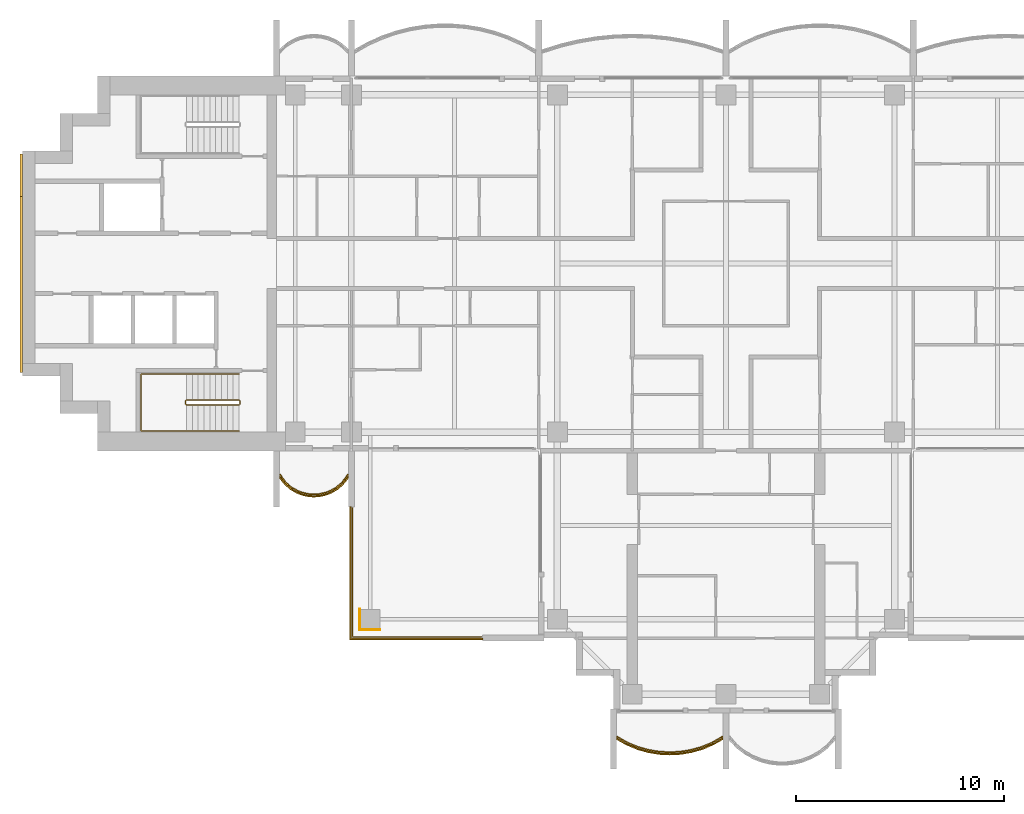
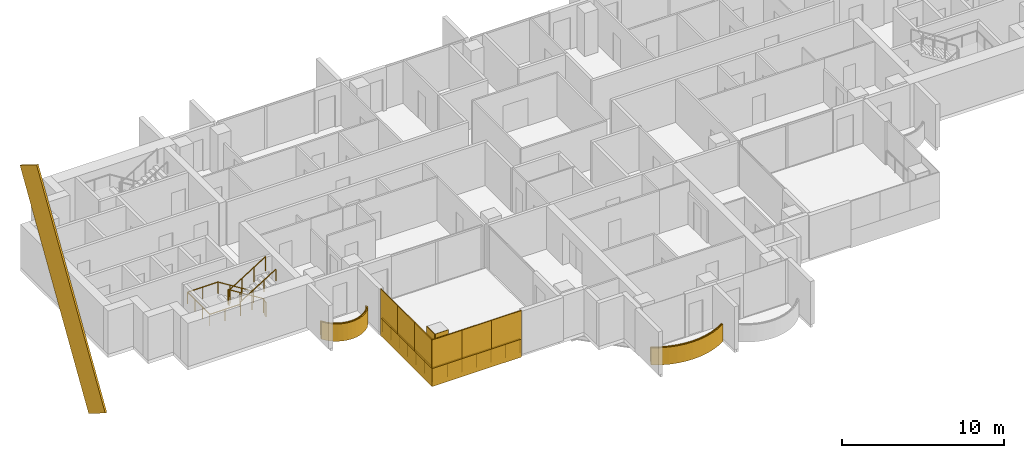
# One storey, part 14 of 17: 12 coverings, 5 railings.
"""IFC4 building model written with IfcOpenShell, lengths in metres."""

from ifc_helpers import new_model, si_unit, direction, frame, origin, origin_2d, place, context, subcontext, project, spatial, polyline, rectangle, outline, extrude, material, layer, layer_set, material_profile, profile_set, type_object, element, save


model = new_model("IFC4")

# Units and contexts
model_context = context("Model", 3, precision=1e-05, world=origin(), true_north=direction((0.0, 1.0)))
body_context = subcontext(model_context, "Body", "Model", "MODEL_VIEW")
ifc_project = project(units=[si_unit("LENGTHUNIT", "METRE"), si_unit("AREAUNIT", "SQUARE_METRE"), si_unit("VOLUMEUNIT", "CUBIC_METRE"), si_unit("PLANEANGLEUNIT", "RADIAN"), si_unit("MASSUNIT", "GRAM", prefix="KILO")], contexts=[model_context])

# Site, building, storey
site_placement = place(None, origin())
site = spatial("IfcSite", under=ifc_project, at=site_placement, CompositionType="ELEMENT")
building_placement = place(site_placement, origin())
building = spatial("IfcBuilding", under=site, at=building_placement, Name="Perihelion Cross Residences", CompositionType="ELEMENT")
storey_placement = place(building_placement, frame((0.0, 0.0, 205.10009765625)))
storey = spatial("IfcBuildingStorey", under=building, at=storey_placement, Name="L51", CompositionType="ELEMENT", Elevation=205.10009765625)

# Coverings
ifc_material_1 = material(Name="Bronze anodised aluminium", Category="aluminium")
ifc_layer_1 = layer(ifc_material_1, 0.070068359375)
ifc_layer_set_1 = layer_set([ifc_layer_1], Name="Balcony fascia 1300")
covering_type_1 = type_object("IfcCoveringType", Name="Balcony fascia 1300", PredefinedType="CLADDING", material=ifc_layer_set_1)
covering_1_placement = place(storey_placement, frame((0.0, 0.0, -0.2001953125)))
element("IfcCovering", 1, at=covering_1_placement, inside=storey, type_object=covering_type_1, Name="Fascia BF1 L51 west side south bay 1", PredefinedType="CLADDING", context=body_context, shape_type="SweptSolid", body=[
    extrude(outline(polyline([(-21.226318359375, -10.616455078125), (-20.94091796875, -10.86328125), (-20.655517578125, -11.031494140625), (-20.370361328125, -11.142578125), (-20.085205078125, -11.206298828125), (-19.800048828125, -11.22705078125), (-19.514892578125, -11.206298828125), (-19.229736328125, -11.142578125), (-18.9443359375, -11.031494140625), (-18.6591796875, -10.86328125), (-18.373779296875, -10.616455078125), (-18.14990234375, -10.31689453125), (-18.14990234375, -10.199951171875), (-18.425048828125, -10.568603515625), (-18.699951171875, -10.806396484375), (-18.97509765625, -10.96875), (-19.25, -11.07568359375), (-19.52490234375, -11.136962890625), (-19.800048828125, -11.156982421875), (-20.074951171875, -11.136962890625), (-20.35009765625, -11.07568359375), (-20.625, -10.96875), (-20.89990234375, -10.806396484375), (-21.175048828125, -10.568603515625), (-21.449951171875, -10.199951171875), (-21.449951171875, -10.31689453125), (-21.226318359375, -10.616455078125)])), origin(), (0.0, 0.0, 1.0), 1.300048828125),
])
covering_2_placement = place(storey_placement, frame((0.0, 0.0, -0.2001953125)))
element("IfcCovering", 2, at=covering_2_placement, inside=storey, type_object=covering_type_1, Name="Fascia BF1 L51 south tip south bay 1", PredefinedType="CLADDING", context=body_context, shape_type="SweptSolid", body=[
    extrude(outline(polyline([(-4.7705078125, -23.1484375), (-4.2529296875, -23.36083984375), (-3.735107421875, -23.506591796875), (-3.217529296875, -23.591796875), (-2.699951171875, -23.6201171875), (-2.182373046875, -23.591796875), (-1.664794921875, -23.506591796875), (-1.147216796875, -23.36083984375), (-0.629638671875, -23.1484375), (-0.14990234375, -22.880126953125), (-0.14990234375, -22.800048828125), (-0.659912109375, -23.085205078125), (-1.169921875, -23.294677734375), (-1.679931640625, -23.438232421875), (-2.18994140625, -23.522216796875), (-2.699951171875, -23.550048828125), (-3.2099609375, -23.522216796875), (-3.719970703125, -23.438232421875), (-4.22998046875, -23.294677734375), (-4.739990234375, -23.085205078125), (-5.25, -22.800048828125), (-5.25, -22.880126953125), (-4.7705078125, -23.1484375)])), origin(), (0.0, 0.0, 1.0), 1.300048828125),
])

# Railings
ifc_material_2 = material(Name="Bronze anodised aluminium", Category="aluminium")
railing_type_1 = type_object("IfcRailingType", Name="Balcony guard 1100", PredefinedType="GUARDRAIL", material=ifc_material_2)
railing_1_placement = place(storey_placement, frame((-21.425048828125, -10.139892578125, 0.0)))
element("IfcRailing", 3, at=railing_1_placement, inside=storey, type_object=railing_type_1, Name="Guard GU1 L51 west side south bay 1 balcony", PredefinedType="GUARDRAIL", context=body_context, shape_type="SweptSolid", body=[
    extrude(rectangle(XDim=0.048095703125, YDim=0.048095703125, at=origin_2d()), frame((0.0, 0.0, 1.076171875), z_axis=(0.561260132269, -0.827639452857, 0.0), x_axis=(0.827639452857, 0.561260132269, 0.0)), (0.0, 0.0, 1.0), 0.4453125),
    extrude(rectangle(XDim=0.048095703125, YDim=0.048095703125, at=origin_2d()), frame((0.25, -0.36865234375, 1.076171875), z_axis=(0.756596535164, -0.653882009982, 0.0), x_axis=(0.653882009982, 0.756596535164, 0.0)), (0.0, 0.0, 1.0), 0.36376953125),
    extrude(rectangle(XDim=0.048095703125, YDim=0.048095703125, at=origin_2d()), frame((0.525146484375, -0.6064453125, 1.076171875), z_axis=(0.861048292884, -0.508523192511, 0.0), x_axis=(0.508523192511, 0.861048292884, 0.0)), (0.0, 0.0, 1.0), 0.3193359375),
    extrude(rectangle(XDim=0.048095703125, YDim=0.048095703125, at=origin_2d()), frame((0.800048828125, -0.768798828125, 1.076171875), z_axis=(0.931973602183, -0.362526143656, 0.0), x_axis=(0.362526143656, 0.931973602183, 0.0)), (0.0, 0.0, 1.0), 0.294921875),
    extrude(rectangle(XDim=0.048095703125, YDim=0.048095703125, at=origin_2d()), frame((1.074951171875, -0.875732421875, 1.076171875), z_axis=(0.976085059389, -0.21738895289, 0.0), x_axis=(0.21738895289, 0.976085059389, 0.0)), (0.0, 0.0, 1.0), 0.281982421875),
    extrude(rectangle(XDim=0.048095703125, YDim=0.048095703125, at=origin_2d()), frame((1.35009765625, -0.93701171875, 1.076171875), z_axis=(0.997358821833, -0.072631814734, 0.0), x_axis=(0.072631814734, 0.997358821833, 0.0)), (0.0, 0.0, 1.0), 0.275634765625),
    extrude(rectangle(XDim=0.048095703125, YDim=0.048095703125, at=origin_2d()), frame((1.625, -0.95703125, 1.076171875), z_axis=(0.997363488337, 0.072567707226, 0.0), x_axis=(-0.072567707226, 0.997363488337, 0.0)), (0.0, 0.0, 1.0), 0.27587890625),
    extrude(rectangle(XDim=0.048095703125, YDim=0.048095703125, at=origin_2d()), frame((1.900146484375, -0.93701171875, 1.076171875), z_axis=(0.976044077717, 0.217572880557, 0.0), x_axis=(-0.217572880557, 0.976044077717, 0.0)), (0.0, 0.0, 1.0), 0.28173828125),
    extrude(rectangle(XDim=0.048095703125, YDim=0.048095703125, at=origin_2d()), frame((2.175048828125, -0.875732421875, 1.076171875), z_axis=(0.931973602183, 0.362526143656, 0.0), x_axis=(-0.362526143656, 0.931973602183, 0.0)), (0.0, 0.0, 1.0), 0.294921875),
    extrude(rectangle(XDim=0.048095703125, YDim=0.048095703125, at=origin_2d()), frame((2.449951171875, -0.768798828125, 1.076171875), z_axis=(0.861245845072, 0.508188542123, 0.0), x_axis=(-0.508188542123, 0.861245845072, 0.0)), (0.0, 0.0, 1.0), 0.319580078125),
    extrude(rectangle(XDim=0.048095703125, YDim=0.048095703125, at=origin_2d()), frame((2.72509765625, -0.6064453125, 1.076171875), z_axis=(0.756309278473, 0.654214242658, 0.0), x_axis=(-0.654214242658, 0.756309278473, 0.0)), (0.0, 0.0, 1.0), 0.363525390625),
    extrude(rectangle(XDim=0.048095703125, YDim=0.048095703125, at=origin_2d()), frame((3.0, -0.36865234375, 1.076171875), z_axis=(0.561260132269, 0.827639452857, 0.0), x_axis=(-0.827639452857, 0.561260132269, 0.0)), (0.0, 0.0, 1.0), 0.4453125),
    extrude(rectangle(XDim=0.0419921875, YDim=0.0419921875, at=origin_2d()), origin(), (0.0, 0.0, 1.0), 1.052001953125),
    extrude(rectangle(XDim=0.0419921875, YDim=0.0419921875, at=origin_2d()), frame((0.25, -0.36865234375, 0.0)), (0.0, 0.0, 1.0), 1.052001953125),
    extrude(rectangle(XDim=0.0419921875, YDim=0.0419921875, at=origin_2d()), frame((0.525146484375, -0.6064453125, 0.0)), (0.0, 0.0, 1.0), 1.052001953125),
    extrude(rectangle(XDim=0.0419921875, YDim=0.0419921875, at=origin_2d()), frame((0.800048828125, -0.768798828125, 0.0)), (0.0, 0.0, 1.0), 1.052001953125),
    extrude(rectangle(XDim=0.0419921875, YDim=0.0419921875, at=origin_2d()), frame((1.074951171875, -0.875732421875, 0.0)), (0.0, 0.0, 1.0), 1.052001953125),
    extrude(rectangle(XDim=0.0419921875, YDim=0.0419921875, at=origin_2d()), frame((1.35009765625, -0.93701171875, 0.0)), (0.0, 0.0, 1.0), 1.052001953125),
    extrude(rectangle(XDim=0.0419921875, YDim=0.0419921875, at=origin_2d()), frame((1.625, -0.95703125, 0.0)), (0.0, 0.0, 1.0), 1.052001953125),
    extrude(rectangle(XDim=0.0419921875, YDim=0.0419921875, at=origin_2d()), frame((1.900146484375, -0.93701171875, 0.0)), (0.0, 0.0, 1.0), 1.052001953125),
    extrude(rectangle(XDim=0.0419921875, YDim=0.0419921875, at=origin_2d()), frame((2.175048828125, -0.875732421875, 0.0)), (0.0, 0.0, 1.0), 1.052001953125),
    extrude(rectangle(XDim=0.0419921875, YDim=0.0419921875, at=origin_2d()), frame((2.449951171875, -0.768798828125, 0.0)), (0.0, 0.0, 1.0), 1.052001953125),
    extrude(rectangle(XDim=0.0419921875, YDim=0.0419921875, at=origin_2d()), frame((2.72509765625, -0.6064453125, 0.0)), (0.0, 0.0, 1.0), 1.052001953125),
    extrude(rectangle(XDim=0.0419921875, YDim=0.0419921875, at=origin_2d()), frame((3.0, -0.36865234375, 0.0)), (0.0, 0.0, 1.0), 1.052001953125),
    extrude(rectangle(XDim=0.0419921875, YDim=0.0419921875, at=origin_2d()), frame((3.25, 0.0, 0.0)), (0.0, 0.0, 1.0), 1.052001953125),
])
railing_2_placement = place(storey_placement, frame((-5.22509765625, -22.739990234375, 0.0)))
element("IfcRailing", 4, at=railing_2_placement, inside=storey, type_object=railing_type_1, Name="Guard GU1 L51 south tip south bay 1 balcony", PredefinedType="GUARDRAIL", context=body_context, shape_type="SweptSolid", body=[
    extrude(rectangle(XDim=0.048095703125, YDim=0.048095703125, at=origin_2d()), frame((0.0, 0.0, 1.076171875), z_axis=(0.861900760591, -0.507076995033, 0.0), x_axis=(0.507076995033, 0.861900760591, 0.0)), (0.0, 0.0, 1.0), 0.562744140625),
    extrude(rectangle(XDim=0.048095703125, YDim=0.048095703125, at=origin_2d()), frame((0.485107421875, -0.285400390625, 1.076171875), z_axis=(0.925172605972, -0.379546636342, 0.0), x_axis=(0.379546636342, 0.925172605972, 0.0)), (0.0, 0.0, 1.0), 0.55126953125),
    extrude(rectangle(XDim=0.048095703125, YDim=0.048095703125, at=origin_2d()), frame((0.9951171875, -0.49462890625, 1.076171875), z_axis=(0.962594623481, -0.270945734134, 0.0), x_axis=(0.270945734134, 0.962594623481, 0.0)), (0.0, 0.0, 1.0), 0.52978515625),
    extrude(rectangle(XDim=0.048095703125, YDim=0.048095703125, at=origin_2d()), frame((1.505126953125, -0.63818359375, 1.076171875), z_axis=(0.98663538303, -0.162943612803, 0.0), x_axis=(0.162943612803, 0.98663538303, 0.0)), (0.0, 0.0, 1.0), 0.516845703125),
    extrude(rectangle(XDim=0.048095703125, YDim=0.048095703125, at=origin_2d()), frame((2.01513671875, -0.722412109375, 1.076171875), z_axis=(0.998540183677, -0.05401390175, 0.0), x_axis=(0.05401390175, 0.998540183677, 0.0)), (0.0, 0.0, 1.0), 0.5107421875),
    extrude(rectangle(XDim=0.048095703125, YDim=0.048095703125, at=origin_2d()), frame((2.525146484375, -0.75, 1.076171875), z_axis=(0.998540183677, 0.05401390175, 0.0), x_axis=(-0.05401390175, 0.998540183677, 0.0)), (0.0, 0.0, 1.0), 0.5107421875),
    extrude(rectangle(XDim=0.048095703125, YDim=0.048095703125, at=origin_2d()), frame((3.03515625, -0.722412109375, 1.076171875), z_axis=(0.98663538303, 0.162943612803, 0.0), x_axis=(-0.162943612803, 0.98663538303, 0.0)), (0.0, 0.0, 1.0), 0.516845703125),
    extrude(rectangle(XDim=0.048095703125, YDim=0.048095703125, at=origin_2d()), frame((3.545166015625, -0.63818359375, 1.076171875), z_axis=(0.962594623481, 0.270945734134, 0.0), x_axis=(-0.270945734134, 0.962594623481, 0.0)), (0.0, 0.0, 1.0), 0.52978515625),
    extrude(rectangle(XDim=0.048095703125, YDim=0.048095703125, at=origin_2d()), frame((4.05517578125, -0.49462890625, 1.076171875), z_axis=(0.925172605972, 0.379546636342, 0.0), x_axis=(-0.379546636342, 0.925172605972, 0.0)), (0.0, 0.0, 1.0), 0.55126953125),
    extrude(rectangle(XDim=0.048095703125, YDim=0.048095703125, at=origin_2d()), frame((4.565185546875, -0.285400390625, 1.076171875), z_axis=(0.861789164031, 0.507266632806, 0.0), x_axis=(-0.507266632806, 0.861789164031, 0.0)), (0.0, 0.0, 1.0), 0.562744140625),
    extrude(rectangle(XDim=0.0419921875, YDim=0.0419921875, at=origin_2d()), origin(), (0.0, 0.0, 1.0), 1.052001953125),
    extrude(rectangle(XDim=0.0419921875, YDim=0.0419921875, at=origin_2d()), frame((0.485107421875, -0.285400390625, 0.0)), (0.0, 0.0, 1.0), 1.052001953125),
    extrude(rectangle(XDim=0.0419921875, YDim=0.0419921875, at=origin_2d()), frame((0.9951171875, -0.49462890625, 0.0)), (0.0, 0.0, 1.0), 1.052001953125),
    extrude(rectangle(XDim=0.0419921875, YDim=0.0419921875, at=origin_2d()), frame((1.505126953125, -0.63818359375, 0.0)), (0.0, 0.0, 1.0), 1.052001953125),
    extrude(rectangle(XDim=0.0419921875, YDim=0.0419921875, at=origin_2d()), frame((2.01513671875, -0.722412109375, 0.0)), (0.0, 0.0, 1.0), 1.052001953125),
    extrude(rectangle(XDim=0.0419921875, YDim=0.0419921875, at=origin_2d()), frame((2.525146484375, -0.75, 0.0)), (0.0, 0.0, 1.0), 1.052001953125),
    extrude(rectangle(XDim=0.0419921875, YDim=0.0419921875, at=origin_2d()), frame((3.03515625, -0.722412109375, 0.0)), (0.0, 0.0, 1.0), 1.052001953125),
    extrude(rectangle(XDim=0.0419921875, YDim=0.0419921875, at=origin_2d()), frame((3.545166015625, -0.63818359375, 0.0)), (0.0, 0.0, 1.0), 1.052001953125),
    extrude(rectangle(XDim=0.0419921875, YDim=0.0419921875, at=origin_2d()), frame((4.05517578125, -0.49462890625, 0.0)), (0.0, 0.0, 1.0), 1.052001953125),
    extrude(rectangle(XDim=0.0419921875, YDim=0.0419921875, at=origin_2d()), frame((4.565185546875, -0.285400390625, 0.0)), (0.0, 0.0, 1.0), 1.052001953125),
    extrude(rectangle(XDim=0.0419921875, YDim=0.0419921875, at=origin_2d()), frame((5.050048828125, 0.0, 0.0)), (0.0, 0.0, 1.0), 1.052001953125),
])
railing_3_placement = place(storey_placement, frame((-11.739990234375, -17.93994140625, 0.0)))
element("IfcRailing", 5, at=railing_3_placement, inside=storey, type_object=railing_type_1, Name="Guard GU1 L51 pocket south-west 1", PredefinedType="GUARDRAIL", context=body_context, shape_type="SweptSolid", body=[
    extrude(rectangle(XDim=0.048095703125, YDim=0.048095703125, at=origin_2d()), frame((0.0, 0.0, 1.076171875), z_axis=(-1.0, 0.0, 0.0), x_axis=(0.0, -1.0, 0.0)), (0.0, 0.0, 1.0), 6.199951171875),
    extrude(rectangle(XDim=0.048095703125, YDim=0.048095703125, at=origin_2d()), frame((-6.199951171875, 0.0, 1.076171875), z_axis=(0.0, 1.0, 0.0), x_axis=(-1.0, 0.0, 0.0)), (0.0, 0.0, 1.0), 6.199951171875),
    extrude(rectangle(XDim=0.0419921875, YDim=0.0419921875, at=origin_2d()), origin(), (0.0, 0.0, 1.0), 1.052001953125),
    extrude(rectangle(XDim=0.0419921875, YDim=0.0419921875, at=origin_2d()), frame((-1.033203125, 0.0, 0.0)), (0.0, 0.0, 1.0), 1.052001953125),
    extrude(rectangle(XDim=0.0419921875, YDim=0.0419921875, at=origin_2d()), frame((-2.066650390625, 0.0, 0.0)), (0.0, 0.0, 1.0), 1.052001953125),
    extrude(rectangle(XDim=0.0419921875, YDim=0.0419921875, at=origin_2d()), frame((-3.10009765625, 0.0, 0.0)), (0.0, 0.0, 1.0), 1.052001953125),
    extrude(rectangle(XDim=0.0419921875, YDim=0.0419921875, at=origin_2d()), frame((-4.13330078125, 0.0, 0.0)), (0.0, 0.0, 1.0), 1.052001953125),
    extrude(rectangle(XDim=0.0419921875, YDim=0.0419921875, at=origin_2d()), frame((-5.16650390625, 0.0, 0.0)), (0.0, 0.0, 1.0), 1.052001953125),
    extrude(rectangle(XDim=0.0419921875, YDim=0.0419921875, at=origin_2d()), frame((-6.199951171875, 0.0, 0.0)), (0.0, 0.0, 1.0), 1.052001953125),
    extrude(rectangle(XDim=0.0419921875, YDim=0.0419921875, at=origin_2d()), frame((-6.199951171875, 1.033203125, 0.0)), (0.0, 0.0, 1.0), 1.052001953125),
    extrude(rectangle(XDim=0.0419921875, YDim=0.0419921875, at=origin_2d()), frame((-6.199951171875, 2.066650390625, 0.0)), (0.0, 0.0, 1.0), 1.052001953125),
    extrude(rectangle(XDim=0.0419921875, YDim=0.0419921875, at=origin_2d()), frame((-6.199951171875, 3.10009765625, 0.0)), (0.0, 0.0, 1.0), 1.052001953125),
    extrude(rectangle(XDim=0.0419921875, YDim=0.0419921875, at=origin_2d()), frame((-6.199951171875, 4.13330078125, 0.0)), (0.0, 0.0, 1.0), 1.052001953125),
    extrude(rectangle(XDim=0.0419921875, YDim=0.0419921875, at=origin_2d()), frame((-6.199951171875, 5.16650390625, 0.0)), (0.0, 0.0, 1.0), 1.052001953125),
    extrude(rectangle(XDim=0.0419921875, YDim=0.0419921875, at=origin_2d()), frame((-6.199951171875, 6.199951171875, 0.0)), (0.0, 0.0, 1.0), 1.052001953125),
])

# Coverings
ifc_material_3 = material(Name="Bronze anodised aluminium", Category="aluminium")
ifc_material_profile = material_profile(ifc_material_3, rectangle(XDim=0.125, YDim=2.39990234375, at=origin_2d()), Name="Bronze cladding band 2400")
ifc_profile_set = profile_set([ifc_material_profile], Name="Bronze anodised aluminium")
covering_type_2 = type_object("IfcCoveringType", Name="Bronze cladding band 2400", PredefinedType="CLADDING", material=ifc_profile_set)
covering_3_placement = place(storey_placement, frame((-33.862548828125, -4.232421875, -5.096923828125), z_axis=(0.0, 0.529924750763, 0.848044667767), x_axis=(-1.0, 0.0, 0.0)))
element("IfcCovering", 6, at=covering_3_placement, inside=storey, type_object=covering_type_2, Name="Core cladding band, west core", PredefinedType="CLADDING", context=body_context, shape_type="SweptSolid", body=[
    extrude(rectangle(XDim=0.125, YDim=2.39990234375, at=origin_2d()), origin(), (0.0, 0.0, 1.0), 15.9736328125),
])
ifc_material_4 = material(Name="Bronze anodised aluminium", Category="aluminium")
ifc_layer_2 = layer(ifc_material_4, 0.0400390625)
ifc_layer_set_2 = layer_set([ifc_layer_2], Name="Bronze column casing 40")
covering_type_3 = type_object("IfcCoveringType", Name="Bronze column casing 40", PredefinedType="CLADDING", material=ifc_layer_set_2)
covering_4_placement = place(storey_placement, frame((-17.594970703125, -17.10009765625, -0.25), z_axis=(0.0, 0.0, 1.0), x_axis=(1.0, 0.0, 0.0)))
element("IfcCovering", 7, at=covering_4_placement, inside=storey, type_object=covering_type_3, Name="Cladding CC1 L51 casing east-west no. 1", PredefinedType="CLADDING", context=body_context, shape_type="SweptSolid", body=[
    extrude(rectangle(XDim=0.0400390625, YDim=1.030029296875, at=origin_2d()), origin(), (0.0, 0.0, 1.0), 3.5),
])
covering_5_placement = place(storey_placement, frame((-17.10009765625, -17.594970703125, -0.25), z_axis=(0.0, 0.0, 1.0), x_axis=(1.0, 0.0, 0.0)))
element("IfcCovering", 8, at=covering_5_placement, inside=storey, type_object=covering_type_3, Name="Cladding CC1 L51 casing north-south no. 1", PredefinedType="CLADDING", context=body_context, shape_type="SweptSolid", body=[
    extrude(rectangle(XDim=0.949951171875, YDim=0.0400390625, at=origin_2d()), origin(), (0.0, 0.0, 1.0), 3.5),
])
ifc_material_5 = material(Name="Bronze anodised aluminium", Category="aluminium")
ifc_layer_3 = layer(ifc_material_5, 0.070068359375)
ifc_layer_set_3 = layer_set([ifc_layer_3], Name="Pocket fascia 1350")
covering_type_4 = type_object("IfcCoveringType", Name="Pocket fascia 1350", PredefinedType="CLADDING", material=ifc_layer_set_3)
covering_6_placement = place(storey_placement, frame((0.0, 0.0, -0.25)))
element("IfcCovering", 9, at=covering_6_placement, inside=storey, type_object=covering_type_4, Name="Fascia BF2 L51 pocket south-west 1", PredefinedType="CLADDING", context=body_context, shape_type="SweptSolid", body=[
    extrude(outline(polyline([(-18.070068359375, -11.699951171875), (-18.070068359375, -18.070068359375), (-11.699951171875, -18.070068359375), (-11.699951171875, -18.0), (-18.0, -18.0), (-18.0, -11.699951171875), (-18.070068359375, -11.699951171875)])), origin(), (0.0, 0.0, 1.0), 1.349853515625),
])
ifc_material_6 = material(Name="Bronze perforated aluminium", Category="aluminium")
ifc_layer_4 = layer(ifc_material_6, 0.070068359375)
ifc_layer_set_4 = layer_set([ifc_layer_4], Name="Pocket solar screen, bronze perforated")
covering_type_5 = type_object("IfcCoveringType", Name="Pocket solar screen, bronze perforated", PredefinedType="CLADDING", material=ifc_layer_set_4)
covering_7_placement = place(storey_placement, frame((0.0, 0.0, 1.099853515625)))
element("IfcCovering", 10, at=covering_7_placement, inside=storey, type_object=covering_type_5, Name="Solar screen PS1 L51 pocket south-west no. 1", PredefinedType="CLADDING", context=body_context, shape_type="SweptSolid", body=[
    extrude(outline(polyline([(-18.0, -18.0), (-18.0, -15.89990234375), (-18.070068359375, -15.89990234375), (-18.070068359375, -18.0), (-18.0, -18.0)])), origin(), (0.0, 0.0, 1.0), 2.150146484375),
])
covering_8_placement = place(storey_placement, frame((0.0, 0.0, 1.099853515625)))
element("IfcCovering", 11, at=covering_8_placement, inside=storey, type_object=covering_type_5, Name="Solar screen PS1 L51 pocket south-west no. 2", PredefinedType="CLADDING", context=body_context, shape_type="SweptSolid", body=[
    extrude(outline(polyline([(-18.0, -15.89990234375), (-18.0, -13.800048828125), (-18.070068359375, -13.800048828125), (-18.070068359375, -15.89990234375), (-18.0, -15.89990234375)])), origin(), (0.0, 0.0, 1.0), 2.150146484375),
])
covering_9_placement = place(storey_placement, frame((0.0, 0.0, 1.099853515625)))
element("IfcCovering", 12, at=covering_9_placement, inside=storey, type_object=covering_type_5, Name="Solar screen PS1 L51 pocket south-west no. 3", PredefinedType="CLADDING", context=body_context, shape_type="SweptSolid", body=[
    extrude(outline(polyline([(-18.0, -13.800048828125), (-18.0, -11.699951171875), (-18.070068359375, -11.699951171875), (-18.070068359375, -13.800048828125), (-18.0, -13.800048828125)])), origin(), (0.0, 0.0, 1.0), 2.150146484375),
])
covering_10_placement = place(storey_placement, frame((0.0, 0.0, 1.099853515625)))
element("IfcCovering", 13, at=covering_10_placement, inside=storey, type_object=covering_type_5, Name="Solar screen PS1 L51 pocket south-west no. 4", PredefinedType="CLADDING", context=body_context, shape_type="SweptSolid", body=[
    extrude(outline(polyline([(-15.94677734375, -18.070068359375), (-15.94677734375, -18.0), (-18.070068359375, -18.0), (-18.070068359375, -18.070068359375), (-15.94677734375, -18.070068359375)])), origin(), (0.0, 0.0, 1.0), 2.150146484375),
])
covering_11_placement = place(storey_placement, frame((0.0, 0.0, 1.099853515625)))
element("IfcCovering", 14, at=covering_11_placement, inside=storey, type_object=covering_type_5, Name="Solar screen PS1 L51 pocket south-west no. 5", PredefinedType="CLADDING", context=body_context, shape_type="SweptSolid", body=[
    extrude(outline(polyline([(-13.8232421875, -18.070068359375), (-13.8232421875, -18.0), (-15.94677734375, -18.0), (-15.94677734375, -18.070068359375), (-13.8232421875, -18.070068359375)])), origin(), (0.0, 0.0, 1.0), 2.150146484375),
])
covering_12_placement = place(storey_placement, frame((0.0, 0.0, 1.099853515625)))
element("IfcCovering", 15, at=covering_12_placement, inside=storey, type_object=covering_type_5, Name="Solar screen PS1 L51 pocket south-west no. 6", PredefinedType="CLADDING", context=body_context, shape_type="SweptSolid", body=[
    extrude(outline(polyline([(-11.699951171875, -18.070068359375), (-11.699951171875, -18.0), (-13.8232421875, -18.0), (-13.8232421875, -18.070068359375), (-11.699951171875, -18.070068359375)])), origin(), (0.0, 0.0, 1.0), 2.150146484375),
])

# Railings
ifc_material_7 = material(Name="Stainless steel", Category="steel")
railing_type_2 = type_object("IfcRailingType", Name="Stair guard 1100", PredefinedType="GUARDRAIL", material=ifc_material_7)
railing_4_placement = place(storey_placement, frame((-23.35009765625, -6.75, 0.0)))
element("IfcRailing", 16, at=railing_4_placement, inside=storey, type_object=railing_type_2, Name="L51 ST-W2 stair guard 1", PredefinedType="GUARDRAIL", context=body_context, shape_type="SweptSolid", body=[
    extrude(rectangle(XDim=0.048095703125, YDim=0.048095703125, at=origin_2d()), frame((0.0, 0.0, 1.076171875), z_axis=(0.0, 1.0, 0.0), x_axis=(-1.0, 0.0, 0.0)), (0.0, 0.0, 1.0), 0.14990234375),
    extrude(rectangle(XDim=0.048095703125, YDim=0.048095703125, at=origin_2d()), frame((0.0, 0.14990234375, 1.076171875), z_axis=(-0.264179342666, 0.265474339444, 0.927217692888), x_axis=(-0.708833529934, -0.705375805398, 0.0)), (0.0, 0.0, 1.0), 0.1884765625),
    extrude(rectangle(XDim=0.048095703125, YDim=0.048095703125, at=origin_2d()), frame((-0.0498046875, 0.199951171875, 1.2509765625), z_axis=(-0.847970611238, 0.0, 0.530043245855), x_axis=(0.0, -1.0, 0.0)), (0.0, 0.0, 1.0), 2.971923828125),
    extrude(rectangle(XDim=0.048095703125, YDim=0.048095703125, at=origin_2d()), frame((-2.56982421875, 0.199951171875, 2.826171875), z_axis=(-0.707106781187, -0.707106781187, 0.0), x_axis=(0.707106781187, -0.707106781187, 0.0)), (0.0, 0.0, 1.0), 0.07080078125),
    extrude(rectangle(XDim=0.048095703125, YDim=0.048095703125, at=origin_2d()), frame((-2.619873046875, 0.14990234375, 2.826171875), z_axis=(0.0, -1.0, 0.0), x_axis=(1.0, 0.0, 0.0)), (0.0, 0.0, 1.0), 0.14990234375),
    extrude(rectangle(XDim=0.048095703125, YDim=0.048095703125, at=origin_2d()), frame((-2.619873046875, 0.0, 2.826171875), z_axis=(0.265383341853, -0.265383341853, 0.926899867156), x_axis=(0.707106781187, 0.707106781187, 0.0)), (0.0, 0.0, 1.0), 0.1884765625),
    extrude(rectangle(XDim=0.048095703125, YDim=0.048095703125, at=origin_2d()), frame((-2.56982421875, -0.050048828125, 3.0009765625), z_axis=(0.847970611238, 0.0, 0.530043245855), x_axis=(0.0, 1.0, 0.0)), (0.0, 0.0, 1.0), 2.971923828125),
    extrude(rectangle(XDim=0.0419921875, YDim=0.0419921875, at=origin_2d()), origin(), (0.0, 0.0, 1.0), 1.052001953125),
    extrude(rectangle(XDim=0.0419921875, YDim=0.0419921875, at=origin_2d()), frame((0.0, 0.14990234375, 0.0)), (0.0, 0.0, 1.0), 1.052001953125),
    extrude(rectangle(XDim=0.0419921875, YDim=0.0419921875, at=origin_2d()), frame((-0.0498046875, 0.199951171875, 0.1748046875)), (0.0, 0.0, 1.0), 1.052001953125),
    extrude(rectangle(XDim=0.0419921875, YDim=0.0419921875, at=origin_2d()), frame((-0.889892578125, 0.199951171875, 0.699951171875)), (0.0, 0.0, 1.0), 1.052001953125),
    extrude(rectangle(XDim=0.0419921875, YDim=0.0419921875, at=origin_2d()), frame((-1.729736328125, 0.199951171875, 1.224853515625)), (0.0, 0.0, 1.0), 1.052001953125),
    extrude(rectangle(XDim=0.0419921875, YDim=0.0419921875, at=origin_2d()), frame((-2.56982421875, 0.199951171875, 1.75)), (0.0, 0.0, 1.0), 1.052001953125),
    extrude(rectangle(XDim=0.0419921875, YDim=0.0419921875, at=origin_2d()), frame((-2.619873046875, 0.14990234375, 1.75)), (0.0, 0.0, 1.0), 1.052001953125),
    extrude(rectangle(XDim=0.0419921875, YDim=0.0419921875, at=origin_2d()), frame((-2.619873046875, 0.0, 1.75)), (0.0, 0.0, 1.0), 1.052001953125),
    extrude(rectangle(XDim=0.0419921875, YDim=0.0419921875, at=origin_2d()), frame((-2.56982421875, -0.050048828125, 1.9248046875)), (0.0, 0.0, 1.0), 1.052001953125),
    extrude(rectangle(XDim=0.0419921875, YDim=0.0419921875, at=origin_2d()), frame((-1.729736328125, -0.050048828125, 2.449951171875)), (0.0, 0.0, 1.0), 1.052001953125),
    extrude(rectangle(XDim=0.0419921875, YDim=0.0419921875, at=origin_2d()), frame((-0.889892578125, -0.050048828125, 2.974853515625)), (0.0, 0.0, 1.0), 1.052001953125),
    extrude(rectangle(XDim=0.0419921875, YDim=0.0419921875, at=origin_2d()), frame((-0.0498046875, -0.050048828125, 3.5)), (0.0, 0.0, 1.0), 1.052001953125),
])
ifc_material_8 = material(Name="Stainless steel", Category="steel")
railing_type_3 = type_object("IfcRailingType", Name="Stair handrail 900", PredefinedType="HANDRAIL", material=ifc_material_8)
railing_5_placement = place(storey_placement, frame((-23.39990234375, -5.300048828125, 0.1748046875)))
element("IfcRailing", 17, at=railing_5_placement, inside=storey, type_object=railing_type_3, Name="L51 ST-W2 stair handrail 1", PredefinedType="HANDRAIL", context=body_context, shape_type="SweptSolid", body=[
    extrude(rectangle(XDim=0.048095703125, YDim=0.048095703125, at=origin_2d()), frame((0.0, 0.0, 0.8759765625), z_axis=(-0.847970611238, 0.0, 0.530043245855), x_axis=(0.0, -1.0, 0.0)), (0.0, 0.0, 1.0), 2.971923828125),
    extrude(rectangle(XDim=0.048095703125, YDim=0.048095703125, at=origin_2d()), frame((-2.52001953125, 0.0, 2.451171875), z_axis=(-1.0, 0.0, 0.0), x_axis=(0.0, -1.0, 0.0)), (0.0, 0.0, 1.0), 2.18017578125),
    extrude(rectangle(XDim=0.048095703125, YDim=0.048095703125, at=origin_2d()), frame((-4.7001953125, 0.0, 2.451171875), z_axis=(0.0, -1.0, 0.0), x_axis=(1.0, 0.0, 0.0)), (0.0, 0.0, 1.0), 2.75),
    extrude(rectangle(XDim=0.048095703125, YDim=0.048095703125, at=origin_2d()), frame((-4.7001953125, -2.75, 2.451171875), z_axis=(1.0, 0.0, 0.0), x_axis=(0.0, 1.0, 0.0)), (0.0, 0.0, 1.0), 2.18017578125),
    extrude(rectangle(XDim=0.048095703125, YDim=0.048095703125, at=origin_2d()), frame((-2.52001953125, -2.75, 2.451171875), z_axis=(0.0, 0.0, 1.0), x_axis=(1.0, 0.0, 0.0)), (0.0, 0.0, 1.0), 0.1748046875),
    extrude(rectangle(XDim=0.048095703125, YDim=0.048095703125, at=origin_2d()), frame((-2.52001953125, -2.75, 2.6259765625), z_axis=(0.847970611238, 0.0, 0.530043245855), x_axis=(0.0, 1.0, 0.0)), (0.0, 0.0, 1.0), 2.971923828125),
    extrude(rectangle(XDim=0.0419921875, YDim=0.0419921875, at=origin_2d()), origin(), (0.0, 0.0, 1.0), 0.851806640625),
    extrude(rectangle(XDim=0.0419921875, YDim=0.0419921875, at=origin_2d()), frame((-0.840087890625, 0.0, 0.525146484375)), (0.0, 0.0, 1.0), 0.851806640625),
    extrude(rectangle(XDim=0.0419921875, YDim=0.0419921875, at=origin_2d()), frame((-1.679931640625, 0.0, 1.050048828125)), (0.0, 0.0, 1.0), 0.851806640625),
    extrude(rectangle(XDim=0.0419921875, YDim=0.0419921875, at=origin_2d()), frame((-2.52001953125, 0.0, 1.5751953125)), (0.0, 0.0, 1.0), 0.851806640625),
    extrude(rectangle(XDim=0.0419921875, YDim=0.0419921875, at=origin_2d()), frame((-3.610107421875, 0.0, 1.5751953125)), (0.0, 0.0, 1.0), 0.851806640625),
    extrude(rectangle(XDim=0.0419921875, YDim=0.0419921875, at=origin_2d()), frame((-4.7001953125, 0.0, 1.5751953125)), (0.0, 0.0, 1.0), 0.851806640625),
    extrude(rectangle(XDim=0.0419921875, YDim=0.0419921875, at=origin_2d()), frame((-4.7001953125, -0.916748046875, 1.5751953125)), (0.0, 0.0, 1.0), 0.851806640625),
    extrude(rectangle(XDim=0.0419921875, YDim=0.0419921875, at=origin_2d()), frame((-4.7001953125, -1.833251953125, 1.5751953125)), (0.0, 0.0, 1.0), 0.851806640625),
    extrude(rectangle(XDim=0.0419921875, YDim=0.0419921875, at=origin_2d()), frame((-4.7001953125, -2.75, 1.5751953125)), (0.0, 0.0, 1.0), 0.851806640625),
    extrude(rectangle(XDim=0.0419921875, YDim=0.0419921875, at=origin_2d()), frame((-3.610107421875, -2.75, 1.5751953125)), (0.0, 0.0, 1.0), 0.851806640625),
    extrude(rectangle(XDim=0.0419921875, YDim=0.0419921875, at=origin_2d()), frame((-2.52001953125, -2.75, 1.5751953125)), (0.0, 0.0, 1.0), 0.851806640625),
    extrude(rectangle(XDim=0.0419921875, YDim=0.0419921875, at=origin_2d()), frame((-2.52001953125, -2.75, 1.75)), (0.0, 0.0, 1.0), 0.851806640625),
    extrude(rectangle(XDim=0.0419921875, YDim=0.0419921875, at=origin_2d()), frame((-1.679931640625, -2.75, 2.275146484375)), (0.0, 0.0, 1.0), 0.851806640625),
    extrude(rectangle(XDim=0.0419921875, YDim=0.0419921875, at=origin_2d()), frame((-0.840087890625, -2.75, 2.800048828125)), (0.0, 0.0, 1.0), 0.851806640625),
    extrude(rectangle(XDim=0.0419921875, YDim=0.0419921875, at=origin_2d()), frame((0.0, -2.75, 3.3251953125)), (0.0, 0.0, 1.0), 0.851806640625),
])

save(model, "model.ifc")
